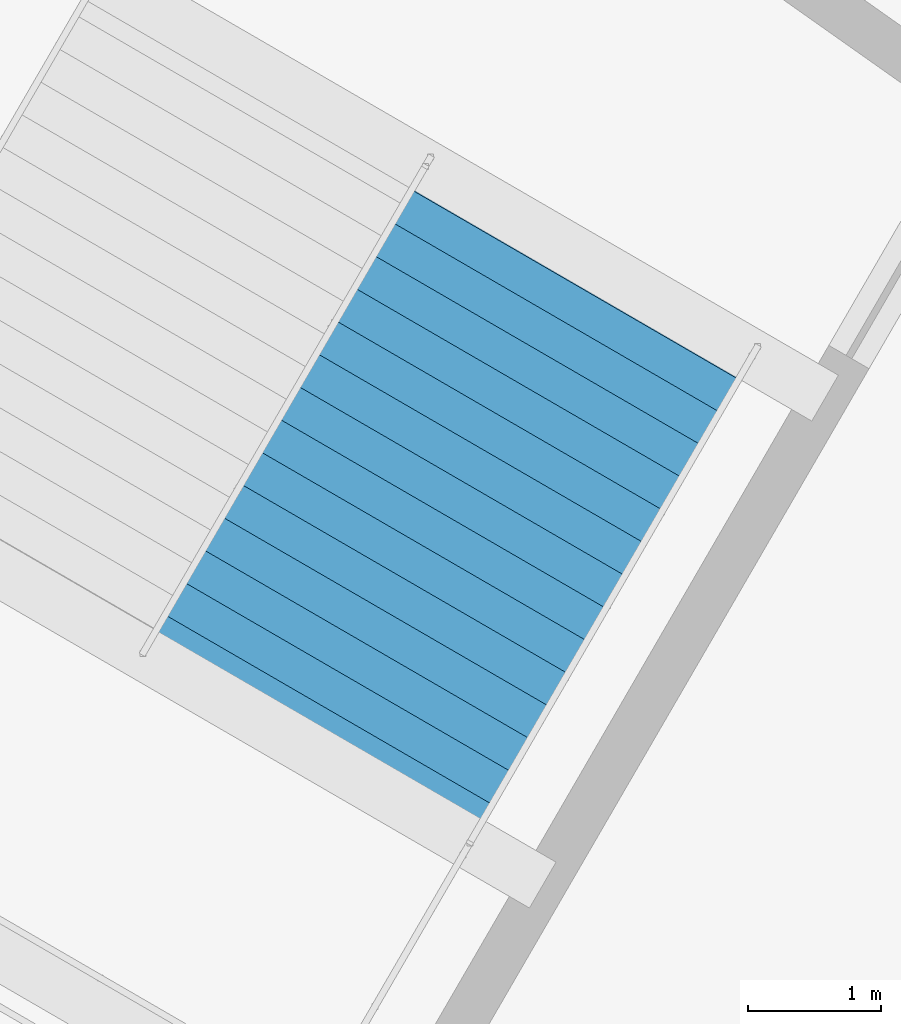
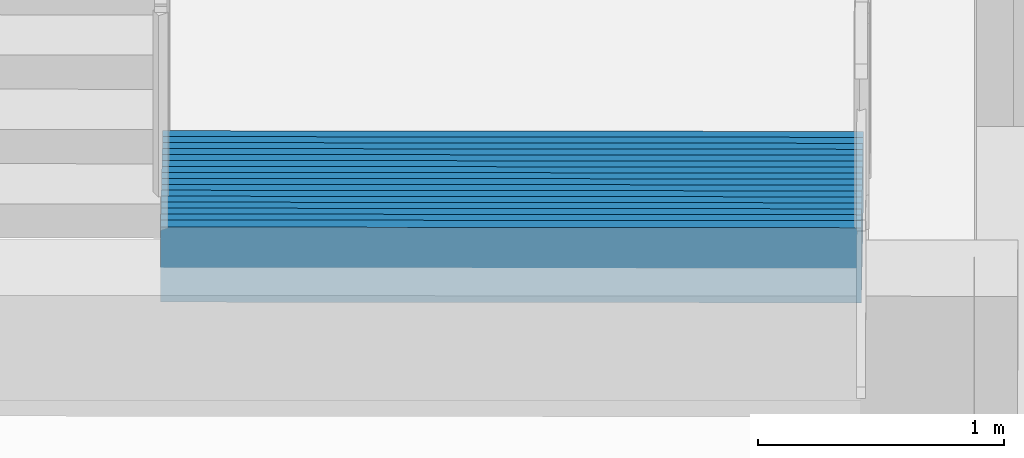
# One storey, part 158 of 186: 1 stair flight, 1 element without a shape of its own.
"""IFC4 building model written with IfcOpenShell, lengths in metres."""

from ifc_helpers import new_model, si_unit, direction, frame, origin, place, context, subcontext, project, spatial, polygons, material, type_object, element, aggregate, save


model = new_model("IFC4")

# Units and contexts
model_context = context("Model", 3, precision=1e-05, world=origin(), true_north=direction((0.0, 1.0)))
body_context = subcontext(model_context, "Body", "Model", "MODEL_VIEW")
ifc_project = project(units=[si_unit("LENGTHUNIT", "METRE"), si_unit("AREAUNIT", "SQUARE_METRE"), si_unit("VOLUMEUNIT", "CUBIC_METRE"), si_unit("PLANEANGLEUNIT", "RADIAN"), si_unit("MASSUNIT", "GRAM", prefix="KILO")], contexts=[model_context])

# Site, building, storey
site_placement = place(None, origin())
site = spatial("IfcSite", under=ifc_project, at=site_placement, CompositionType="ELEMENT")
building_placement = place(site_placement, origin())
building = spatial("IfcBuilding", under=site, at=building_placement, Name="Kazemori Nagisa Stadium", CompositionType="ELEMENT")
storey_placement = place(building_placement, frame((0.0, 0.0, 20.39990234375)))
storey = spatial("IfcBuildingStorey", under=building, at=storey_placement, Name="L04", CompositionType="ELEMENT", Elevation=20.39990234375)

# Stair, stair flight
ifc_material = material(Name="Concrete C36/45 (Fc36)", Category="concrete")
stair_type = type_object("IfcStairType", Name="Stair_CORE_32", PredefinedType="TWO_STRAIGHT_RUN_STAIR", material=ifc_material)
stair_placement = place(storey_placement, origin())
stair = element("IfcStair", 1, at=stair_placement, inside=storey, type_object=stair_type, Name="Exit stair ST08 L04", PredefinedType="TWO_STRAIGHT_RUN_STAIR")
stair_flight_type = type_object("IfcStairFlightType", Name="Flight_CORE_16", PredefinedType="STRAIGHT", material=ifc_material)
stair_flight_placement = place(storey_placement, frame((49.54345703125, 150.724609375, 0.0), z_axis=(0.0, 0.0, 1.0), x_axis=(-0.501596719773, -0.865101572483, 0.0)))
stair_flight = element("IfcStairFlight", 2, at=stair_flight_placement, type_object=stair_flight_type, Name="Exit stair ST08 L04 flight 1", NumberOfRisers=16, NumberOfTreads=15, PredefinedType="STRAIGHT", RiserHeight=0.17, TreadLength=0.285, context=body_context, shape_type="Tessellation", body=[
    polygons([(0.0, -1.425048828125, 0.0), (0.0, -1.425048828125, 0.169921875), (0.284912109375, -1.425048828125, 0.169921875), (0.284912109375, -1.425048828125, 0.340087890625), (0.570068359375, -1.425048828125, 0.340087890625), (0.570068359375, -1.425048828125, 0.510009765625), (0.85498046875, -1.425048828125, 0.510009765625), (0.85498046875, -1.425048828125, 0.679931640625), (1.139892578125, -1.425048828125, 0.679931640625), (1.139892578125, -1.425048828125, 0.85009765625), (1.425048828125, -1.425048828125, 0.85009765625), (1.425048828125, -1.425048828125, 1.02001953125), (1.7099609375, -1.425048828125, 1.02001953125), (1.7099609375, -1.425048828125, 1.18994140625), (1.9951171875, -1.425048828125, 1.18994140625), (1.9951171875, -1.425048828125, 1.360107421875), (2.280029296875, -1.425048828125, 1.360107421875), (2.280029296875, -1.425048828125, 1.530029296875), (2.56494140625, -1.425048828125, 1.530029296875), (2.56494140625, -1.425048828125, 1.699951171875), (2.85009765625, -1.425048828125, 1.699951171875), (2.85009765625, -1.425048828125, 1.8701171875), (3.135009765625, -1.425048828125, 1.8701171875), (3.135009765625, -1.425048828125, 2.0400390625), (3.419921875, -1.425048828125, 2.0400390625), (3.419921875, -1.425048828125, 2.2099609375), (3.705078125, -1.425048828125, 2.2099609375), (3.705078125, -1.425048828125, 2.3798828125), (3.989990234375, -1.425048828125, 2.3798828125), (3.989990234375, -1.425048828125, 2.550048828125), (4.27490234375, -1.425048828125, 2.550048828125), (4.27490234375, -1.425048828125, 2.719970703125), (4.324951171875, -1.425048828125, 2.719970703125), (4.324951171875, -1.425048828125, 2.346923828125), (4.27490234375, -1.425048828125, 2.317138671875), (3.989990234375, -1.425048828125, 2.147216796875), (3.705078125, -1.425048828125, 1.977294921875), (3.419921875, -1.425048828125, 1.80712890625), (3.135009765625, -1.425048828125, 1.63720703125), (2.85009765625, -1.425048828125, 1.46728515625), (2.56494140625, -1.425048828125, 1.297119140625), (2.280029296875, -1.425048828125, 1.127197265625), (1.9951171875, -1.425048828125, 0.957275390625), (1.7099609375, -1.425048828125, 0.787109375), (1.425048828125, -1.425048828125, 0.6171875), (1.139892578125, -1.425048828125, 0.447265625), (0.85498046875, -1.425048828125, 0.277099609375), (0.570068359375, -1.425048828125, 0.107177734375), (0.284912109375, -1.425048828125, 0.0), (0.0, -0.08544921875, 0.0), (0.0, -0.08544921875, 0.169921875), (0.284912109375, -0.08544921875, 0.169921875), (0.284912109375, -0.08544921875, 0.340087890625), (0.570068359375, -0.08544921875, 0.340087890625), (0.570068359375, -0.08544921875, 0.510009765625), (0.85498046875, -0.08544921875, 0.510009765625), (0.85498046875, -0.08544921875, 0.679931640625), (1.139892578125, -0.08544921875, 0.679931640625), (1.139892578125, -0.08544921875, 0.85009765625), (1.425048828125, -0.08544921875, 0.85009765625), (1.425048828125, -0.08544921875, 1.02001953125), (1.7099609375, -0.08544921875, 1.02001953125), (1.7099609375, -0.08544921875, 1.18994140625), (1.9951171875, -0.08544921875, 1.18994140625), (1.9951171875, -0.08544921875, 1.360107421875), (2.280029296875, -0.08544921875, 1.360107421875), (2.280029296875, -0.08544921875, 1.530029296875), (2.56494140625, -0.08544921875, 1.530029296875), (2.56494140625, -0.08544921875, 1.699951171875), (2.85009765625, -0.08544921875, 1.699951171875), (2.85009765625, -0.08544921875, 1.8701171875), (3.135009765625, -0.08544921875, 1.8701171875), (3.135009765625, -0.08544921875, 2.0400390625), (3.419921875, -0.08544921875, 2.0400390625), (3.419921875, -0.08544921875, 2.2099609375), (3.705078125, -0.08544921875, 2.2099609375), (3.705078125, -0.08544921875, 2.3798828125), (3.989990234375, -0.08544921875, 2.3798828125), (3.989990234375, -0.08544921875, 2.550048828125), (4.27490234375, -0.08544921875, 2.550048828125), (4.27490234375, -0.08544921875, 2.719970703125), (4.324951171875, -0.08544921875, 2.719970703125), (4.324951171875, -0.08544921875, 2.346923828125), (4.27490234375, -0.08544921875, 2.317138671875), (3.989990234375, -0.08544921875, 2.147216796875), (3.705078125, -0.08544921875, 1.977294921875), (3.419921875, -0.08544921875, 1.80712890625), (3.135009765625, -0.08544921875, 1.63720703125), (2.85009765625, -0.08544921875, 1.46728515625), (2.56494140625, -0.08544921875, 1.297119140625), (2.280029296875, -0.08544921875, 1.127197265625), (1.9951171875, -0.08544921875, 0.957275390625), (1.7099609375, -0.08544921875, 0.787109375), (1.425048828125, -0.08544921875, 0.6171875), (1.139892578125, -0.08544921875, 0.447265625), (0.85498046875, -0.08544921875, 0.277099609375), (0.570068359375, -0.08544921875, 0.107177734375), (0.284912109375, -0.08544921875, 0.0), (0.0, 0.0, 0.0), (0.0, 0.0, 0.169921875), (0.284912109375, 0.0, 0.169921875), (0.284912109375, 0.0, 0.340087890625), (0.570068359375, 0.0, 0.340087890625), (0.570068359375, 0.0, 0.510009765625), (0.85498046875, 0.0, 0.510009765625), (0.85498046875, 0.0, 0.679931640625), (1.139892578125, 0.0, 0.679931640625), (1.139892578125, 0.0, 0.85009765625), (1.425048828125, 0.0, 0.85009765625), (1.425048828125, 0.0, 1.02001953125), (1.7099609375, 0.0, 1.02001953125), (1.7099609375, 0.0, 1.18994140625), (1.9951171875, 0.0, 1.18994140625), (1.9951171875, 0.0, 1.360107421875), (2.280029296875, 0.0, 1.360107421875), (2.280029296875, 0.0, 1.530029296875), (2.56494140625, 0.0, 1.530029296875), (2.56494140625, 0.0, 1.699951171875), (2.85009765625, 0.0, 1.699951171875), (2.85009765625, 0.0, 1.8701171875), (3.135009765625, 0.0, 1.8701171875), (3.135009765625, 0.0, 2.0400390625), (3.419921875, 0.0, 2.0400390625), (3.419921875, 0.0, 2.2099609375), (3.705078125, 0.0, 2.2099609375), (3.705078125, 0.0, 2.3798828125), (3.989990234375, 0.0, 2.3798828125), (3.989990234375, 0.0, 2.550048828125), (4.27490234375, 0.0, 2.550048828125), (4.27490234375, 0.0, 2.719970703125), (4.324951171875, 0.0, 2.719970703125), (4.324951171875, 0.0, 2.346923828125), (4.27490234375, 0.0, 2.317138671875), (3.989990234375, 0.0, 2.147216796875), (3.705078125, 0.0, 1.977294921875), (3.419921875, 0.0, 1.80712890625), (3.135009765625, 0.0, 1.63720703125), (2.85009765625, 0.0, 1.46728515625), (2.56494140625, 0.0, 1.297119140625), (2.280029296875, 0.0, 1.127197265625), (1.9951171875, 0.0, 0.957275390625), (1.7099609375, 0.0, 0.787109375), (1.425048828125, 0.0, 0.6171875), (1.139892578125, 0.0, 0.447265625), (0.85498046875, 0.0, 0.277099609375), (0.570068359375, 0.0, 0.107177734375), (0.284912109375, 0.0, 0.0), (0.0, 0.08544921875, 0.0), (0.0, 0.08544921875, 0.169921875), (0.284912109375, 0.08544921875, 0.169921875), (0.284912109375, 0.08544921875, 0.340087890625), (0.570068359375, 0.08544921875, 0.340087890625), (0.570068359375, 0.08544921875, 0.510009765625), (0.85498046875, 0.08544921875, 0.510009765625), (0.85498046875, 0.08544921875, 0.679931640625), (1.139892578125, 0.08544921875, 0.679931640625), (1.139892578125, 0.08544921875, 0.85009765625), (1.425048828125, 0.08544921875, 0.85009765625), (1.425048828125, 0.08544921875, 1.02001953125), (1.7099609375, 0.08544921875, 1.02001953125), (1.7099609375, 0.08544921875, 1.18994140625), (1.9951171875, 0.08544921875, 1.18994140625), (1.9951171875, 0.08544921875, 1.360107421875), (2.280029296875, 0.08544921875, 1.360107421875), (2.280029296875, 0.08544921875, 1.530029296875), (2.56494140625, 0.08544921875, 1.530029296875), (2.56494140625, 0.08544921875, 1.699951171875), (2.85009765625, 0.08544921875, 1.699951171875), (2.85009765625, 0.08544921875, 1.8701171875), (3.135009765625, 0.08544921875, 1.8701171875), (3.135009765625, 0.08544921875, 2.0400390625), (3.419921875, 0.08544921875, 2.0400390625), (3.419921875, 0.08544921875, 2.2099609375), (3.705078125, 0.08544921875, 2.2099609375), (3.705078125, 0.08544921875, 2.3798828125), (3.989990234375, 0.08544921875, 2.3798828125), (3.989990234375, 0.08544921875, 2.550048828125), (4.27490234375, 0.08544921875, 2.550048828125), (4.27490234375, 0.08544921875, 2.719970703125), (4.324951171875, 0.08544921875, 2.719970703125), (4.324951171875, 0.08544921875, 2.346923828125), (4.27490234375, 0.08544921875, 2.317138671875), (3.989990234375, 0.08544921875, 2.147216796875), (3.705078125, 0.08544921875, 1.977294921875), (3.419921875, 0.08544921875, 1.80712890625), (3.135009765625, 0.08544921875, 1.63720703125), (2.85009765625, 0.08544921875, 1.46728515625), (2.56494140625, 0.08544921875, 1.297119140625), (2.280029296875, 0.08544921875, 1.127197265625), (1.9951171875, 0.08544921875, 0.957275390625), (1.7099609375, 0.08544921875, 0.787109375), (1.425048828125, 0.08544921875, 0.6171875), (1.139892578125, 0.08544921875, 0.447265625), (0.85498046875, 0.08544921875, 0.277099609375), (0.570068359375, 0.08544921875, 0.107177734375), (0.284912109375, 0.08544921875, 0.0), (0.0, 1.425048828125, 0.0), (0.0, 1.425048828125, 0.169921875), (0.284912109375, 1.425048828125, 0.169921875), (0.284912109375, 1.425048828125, 0.340087890625), (0.570068359375, 1.425048828125, 0.340087890625), (0.570068359375, 1.425048828125, 0.510009765625), (0.85498046875, 1.425048828125, 0.510009765625), (0.85498046875, 1.425048828125, 0.679931640625), (1.139892578125, 1.425048828125, 0.679931640625), (1.139892578125, 1.425048828125, 0.85009765625), (1.425048828125, 1.425048828125, 0.85009765625), (1.425048828125, 1.425048828125, 1.02001953125), (1.7099609375, 1.425048828125, 1.02001953125), (1.7099609375, 1.425048828125, 1.18994140625), (1.9951171875, 1.425048828125, 1.18994140625), (1.9951171875, 1.425048828125, 1.360107421875), (2.280029296875, 1.425048828125, 1.360107421875), (2.280029296875, 1.425048828125, 1.530029296875), (2.56494140625, 1.425048828125, 1.530029296875), (2.56494140625, 1.425048828125, 1.699951171875), (2.85009765625, 1.425048828125, 1.699951171875), (2.85009765625, 1.425048828125, 1.8701171875), (3.135009765625, 1.425048828125, 1.8701171875), (3.135009765625, 1.425048828125, 2.0400390625), (3.419921875, 1.425048828125, 2.0400390625), (3.419921875, 1.425048828125, 2.2099609375), (3.705078125, 1.425048828125, 2.2099609375), (3.705078125, 1.425048828125, 2.3798828125), (3.989990234375, 1.425048828125, 2.3798828125), (3.989990234375, 1.425048828125, 2.550048828125), (4.27490234375, 1.425048828125, 2.550048828125), (4.27490234375, 1.425048828125, 2.719970703125), (4.324951171875, 1.425048828125, 2.719970703125), (4.324951171875, 1.425048828125, 2.346923828125), (4.27490234375, 1.425048828125, 2.317138671875), (3.989990234375, 1.425048828125, 2.147216796875), (3.705078125, 1.425048828125, 1.977294921875), (3.419921875, 1.425048828125, 1.80712890625), (3.135009765625, 1.425048828125, 1.63720703125), (2.85009765625, 1.425048828125, 1.46728515625), (2.56494140625, 1.425048828125, 1.297119140625), (2.280029296875, 1.425048828125, 1.127197265625), (1.9951171875, 1.425048828125, 0.957275390625), (1.7099609375, 1.425048828125, 0.787109375), (1.425048828125, 1.425048828125, 0.6171875), (1.139892578125, 1.425048828125, 0.447265625), (0.85498046875, 1.425048828125, 0.277099609375), (0.570068359375, 1.425048828125, 0.107177734375), (0.284912109375, 1.425048828125, 0.0)], [[[1, 2, 51]], [[1, 51, 50]], [[2, 3, 52]], [[2, 52, 51]], [[3, 4, 53]], [[3, 53, 52]], [[4, 5, 54]], [[4, 54, 53]], [[5, 6, 55]], [[5, 55, 54]], [[6, 7, 56]], [[6, 56, 55]], [[7, 8, 57]], [[7, 57, 56]], [[8, 9, 58]], [[8, 58, 57]], [[9, 10, 59]], [[9, 59, 58]], [[10, 11, 60]], [[10, 60, 59]], [[11, 12, 61]], [[11, 61, 60]], [[12, 13, 62]], [[12, 62, 61]], [[13, 14, 63]], [[13, 63, 62]], [[14, 15, 64]], [[14, 64, 63]], [[15, 16, 65]], [[15, 65, 64]], [[16, 17, 66]], [[16, 66, 65]], [[17, 18, 67]], [[17, 67, 66]], [[18, 19, 68]], [[18, 68, 67]], [[19, 20, 69]], [[19, 69, 68]], [[20, 21, 70]], [[20, 70, 69]], [[21, 22, 71]], [[21, 71, 70]], [[22, 23, 72]], [[22, 72, 71]], [[23, 24, 73]], [[23, 73, 72]], [[24, 25, 74]], [[24, 74, 73]], [[25, 26, 75]], [[25, 75, 74]], [[26, 27, 76]], [[26, 76, 75]], [[27, 28, 77]], [[27, 77, 76]], [[28, 29, 78]], [[28, 78, 77]], [[29, 30, 79]], [[29, 79, 78]], [[30, 31, 80]], [[30, 80, 79]], [[31, 32, 81]], [[31, 81, 80]], [[32, 33, 82]], [[32, 82, 81]], [[33, 34, 83]], [[33, 83, 82]], [[34, 35, 84]], [[34, 84, 83]], [[35, 36, 85]], [[35, 85, 84]], [[36, 37, 86]], [[36, 86, 85]], [[37, 38, 87]], [[37, 87, 86]], [[38, 39, 88]], [[38, 88, 87]], [[39, 40, 89]], [[39, 89, 88]], [[40, 41, 90]], [[40, 90, 89]], [[41, 42, 91]], [[41, 91, 90]], [[42, 43, 92]], [[42, 92, 91]], [[43, 44, 93]], [[43, 93, 92]], [[44, 45, 94]], [[44, 94, 93]], [[45, 46, 95]], [[45, 95, 94]], [[46, 47, 96]], [[46, 96, 95]], [[47, 48, 97]], [[47, 97, 96]], [[48, 49, 98]], [[48, 98, 97]], [[49, 1, 50]], [[49, 50, 98]], [[50, 51, 100]], [[50, 100, 99]], [[51, 52, 101]], [[51, 101, 100]], [[52, 53, 102]], [[52, 102, 101]], [[53, 54, 103]], [[53, 103, 102]], [[54, 55, 104]], [[54, 104, 103]], [[55, 56, 105]], [[55, 105, 104]], [[56, 57, 106]], [[56, 106, 105]], [[57, 58, 107]], [[57, 107, 106]], [[58, 59, 108]], [[58, 108, 107]], [[59, 60, 109]], [[59, 109, 108]], [[60, 61, 110]], [[60, 110, 109]], [[61, 62, 111]], [[61, 111, 110]], [[62, 63, 112]], [[62, 112, 111]], [[63, 64, 113]], [[63, 113, 112]], [[64, 65, 114]], [[64, 114, 113]], [[65, 66, 115]], [[65, 115, 114]], [[66, 67, 116]], [[66, 116, 115]], [[67, 68, 117]], [[67, 117, 116]], [[68, 69, 118]], [[68, 118, 117]], [[69, 70, 119]], [[69, 119, 118]], [[70, 71, 120]], [[70, 120, 119]], [[71, 72, 121]], [[71, 121, 120]], [[72, 73, 122]], [[72, 122, 121]], [[73, 74, 123]], [[73, 123, 122]], [[74, 75, 124]], [[74, 124, 123]], [[75, 76, 125]], [[75, 125, 124]], [[76, 77, 126]], [[76, 126, 125]], [[77, 78, 127]], [[77, 127, 126]], [[78, 79, 128]], [[78, 128, 127]], [[79, 80, 129]], [[79, 129, 128]], [[80, 81, 130]], [[80, 130, 129]], [[81, 82, 131]], [[81, 131, 130]], [[82, 83, 132]], [[82, 132, 131]], [[83, 84, 133]], [[83, 133, 132]], [[84, 85, 134]], [[84, 134, 133]], [[85, 86, 135]], [[85, 135, 134]], [[86, 87, 136]], [[86, 136, 135]], [[87, 88, 137]], [[87, 137, 136]], [[88, 89, 138]], [[88, 138, 137]], [[89, 90, 139]], [[89, 139, 138]], [[90, 91, 140]], [[90, 140, 139]], [[91, 92, 141]], [[91, 141, 140]], [[92, 93, 142]], [[92, 142, 141]], [[93, 94, 143]], [[93, 143, 142]], [[94, 95, 144]], [[94, 144, 143]], [[95, 96, 145]], [[95, 145, 144]], [[96, 97, 146]], [[96, 146, 145]], [[97, 98, 147]], [[97, 147, 146]], [[98, 50, 99]], [[98, 99, 147]], [[99, 100, 149]], [[99, 149, 148]], [[100, 101, 150]], [[100, 150, 149]], [[101, 102, 151]], [[101, 151, 150]], [[102, 103, 152]], [[102, 152, 151]], [[103, 104, 153]], [[103, 153, 152]], [[104, 105, 154]], [[104, 154, 153]], [[105, 106, 155]], [[105, 155, 154]], [[106, 107, 156]], [[106, 156, 155]], [[107, 108, 157]], [[107, 157, 156]], [[108, 109, 158]], [[108, 158, 157]], [[109, 110, 159]], [[109, 159, 158]], [[110, 111, 160]], [[110, 160, 159]], [[111, 112, 161]], [[111, 161, 160]], [[112, 113, 162]], [[112, 162, 161]], [[113, 114, 163]], [[113, 163, 162]], [[114, 115, 164]], [[114, 164, 163]], [[115, 116, 165]], [[115, 165, 164]], [[116, 117, 166]], [[116, 166, 165]], [[117, 118, 167]], [[117, 167, 166]], [[118, 119, 168]], [[118, 168, 167]], [[119, 120, 169]], [[119, 169, 168]], [[120, 121, 170]], [[120, 170, 169]], [[121, 122, 171]], [[121, 171, 170]], [[122, 123, 172]], [[122, 172, 171]], [[123, 124, 173]], [[123, 173, 172]], [[124, 125, 174]], [[124, 174, 173]], [[125, 126, 175]], [[125, 175, 174]], [[126, 127, 176]], [[126, 176, 175]], [[127, 128, 177]], [[127, 177, 176]], [[128, 129, 178]], [[128, 178, 177]], [[129, 130, 179]], [[129, 179, 178]], [[130, 131, 180]], [[130, 180, 179]], [[131, 132, 181]], [[131, 181, 180]], [[132, 133, 182]], [[132, 182, 181]], [[133, 134, 183]], [[133, 183, 182]], [[134, 135, 184]], [[134, 184, 183]], [[135, 136, 185]], [[135, 185, 184]], [[136, 137, 186]], [[136, 186, 185]], [[137, 138, 187]], [[137, 187, 186]], [[138, 139, 188]], [[138, 188, 187]], [[139, 140, 189]], [[139, 189, 188]], [[140, 141, 190]], [[140, 190, 189]], [[141, 142, 191]], [[141, 191, 190]], [[142, 143, 192]], [[142, 192, 191]], [[143, 144, 193]], [[143, 193, 192]], [[144, 145, 194]], [[144, 194, 193]], [[145, 146, 195]], [[145, 195, 194]], [[146, 147, 196]], [[146, 196, 195]], [[147, 99, 148]], [[147, 148, 196]], [[148, 149, 198]], [[148, 198, 197]], [[149, 150, 199]], [[149, 199, 198]], [[150, 151, 200]], [[150, 200, 199]], [[151, 152, 201]], [[151, 201, 200]], [[152, 153, 202]], [[152, 202, 201]], [[153, 154, 203]], [[153, 203, 202]], [[154, 155, 204]], [[154, 204, 203]], [[155, 156, 205]], [[155, 205, 204]], [[156, 157, 206]], [[156, 206, 205]], [[157, 158, 207]], [[157, 207, 206]], [[158, 159, 208]], [[158, 208, 207]], [[159, 160, 209]], [[159, 209, 208]], [[160, 161, 210]], [[160, 210, 209]], [[161, 162, 211]], [[161, 211, 210]], [[162, 163, 212]], [[162, 212, 211]], [[163, 164, 213]], [[163, 213, 212]], [[164, 165, 214]], [[164, 214, 213]], [[165, 166, 215]], [[165, 215, 214]], [[166, 167, 216]], [[166, 216, 215]], [[167, 168, 217]], [[167, 217, 216]], [[168, 169, 218]], [[168, 218, 217]], [[169, 170, 219]], [[169, 219, 218]], [[170, 171, 220]], [[170, 220, 219]], [[171, 172, 221]], [[171, 221, 220]], [[172, 173, 222]], [[172, 222, 221]], [[173, 174, 223]], [[173, 223, 222]], [[174, 175, 224]], [[174, 224, 223]], [[175, 176, 225]], [[175, 225, 224]], [[176, 177, 226]], [[176, 226, 225]], [[177, 178, 227]], [[177, 227, 226]], [[178, 179, 228]], [[178, 228, 227]], [[179, 180, 229]], [[179, 229, 228]], [[180, 181, 230]], [[180, 230, 229]], [[181, 182, 231]], [[181, 231, 230]], [[182, 183, 232]], [[182, 232, 231]], [[183, 184, 233]], [[183, 233, 232]], [[184, 185, 234]], [[184, 234, 233]], [[185, 186, 235]], [[185, 235, 234]], [[186, 187, 236]], [[186, 236, 235]], [[187, 188, 237]], [[187, 237, 236]], [[188, 189, 238]], [[188, 238, 237]], [[189, 190, 239]], [[189, 239, 238]], [[190, 191, 240]], [[190, 240, 239]], [[191, 192, 241]], [[191, 241, 240]], [[192, 193, 242]], [[192, 242, 241]], [[193, 194, 243]], [[193, 243, 242]], [[194, 195, 244]], [[194, 244, 243]], [[195, 196, 245]], [[195, 245, 244]], [[196, 148, 197]], [[196, 197, 245]], [[3, 2, 1]], [[197, 198, 199]], [[49, 3, 1]], [[197, 199, 245]], [[48, 3, 49]], [[245, 199, 244]], [[5, 3, 48]], [[244, 199, 201]], [[5, 4, 3]], [[199, 200, 201]], [[47, 5, 48]], [[244, 201, 243]], [[7, 5, 47]], [[243, 201, 203]], [[7, 6, 5]], [[201, 202, 203]], [[46, 7, 47]], [[243, 203, 242]], [[9, 7, 46]], [[242, 203, 205]], [[9, 8, 7]], [[203, 204, 205]], [[45, 9, 46]], [[242, 205, 241]], [[11, 9, 45]], [[241, 205, 207]], [[11, 10, 9]], [[205, 206, 207]], [[44, 11, 45]], [[241, 207, 240]], [[13, 11, 44]], [[240, 207, 209]], [[13, 12, 11]], [[207, 208, 209]], [[43, 13, 44]], [[240, 209, 239]], [[15, 13, 43]], [[239, 209, 211]], [[15, 14, 13]], [[209, 210, 211]], [[42, 15, 43]], [[239, 211, 238]], [[17, 15, 42]], [[238, 211, 213]], [[17, 16, 15]], [[211, 212, 213]], [[41, 17, 42]], [[238, 213, 237]], [[19, 17, 41]], [[237, 213, 215]], [[19, 18, 17]], [[213, 214, 215]], [[40, 19, 41]], [[237, 215, 236]], [[21, 19, 40]], [[236, 215, 217]], [[21, 20, 19]], [[215, 216, 217]], [[39, 21, 40]], [[236, 217, 235]], [[23, 21, 39]], [[235, 217, 219]], [[23, 22, 21]], [[217, 218, 219]], [[38, 23, 39]], [[235, 219, 234]], [[25, 23, 38]], [[234, 219, 221]], [[25, 24, 23]], [[219, 220, 221]], [[37, 25, 38]], [[234, 221, 233]], [[27, 25, 37]], [[233, 221, 223]], [[27, 26, 25]], [[221, 222, 223]], [[36, 27, 37]], [[233, 223, 232]], [[29, 27, 36]], [[232, 223, 225]], [[29, 28, 27]], [[223, 224, 225]], [[35, 29, 36]], [[232, 225, 231]], [[31, 29, 35]], [[231, 225, 227]], [[31, 30, 29]], [[225, 226, 227]], [[34, 31, 35]], [[231, 227, 230]], [[33, 31, 34]], [[230, 227, 229]], [[33, 32, 31]], [[227, 228, 229]]], closed=True),
])
aggregate(stair, [stair_flight])

save(model, "model.ifc")
